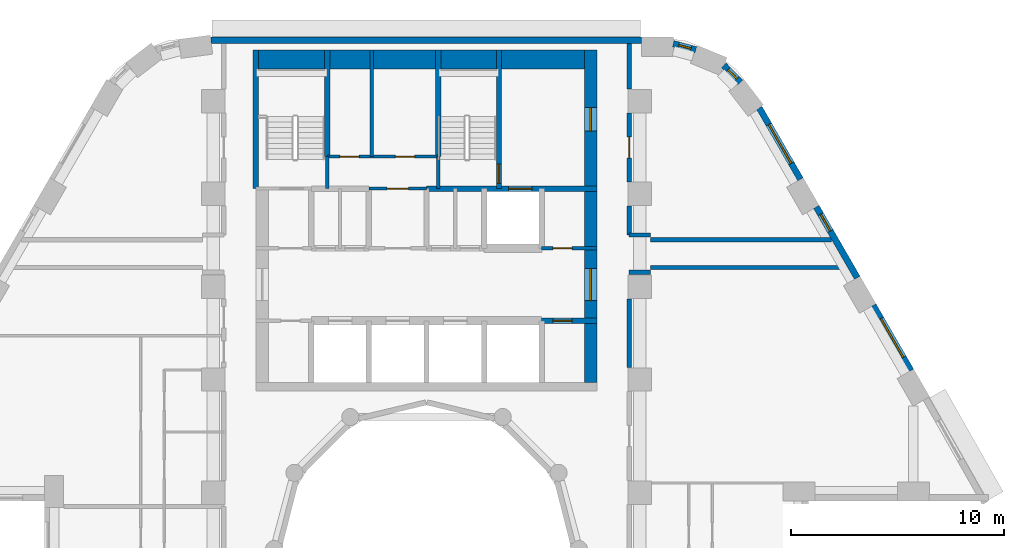
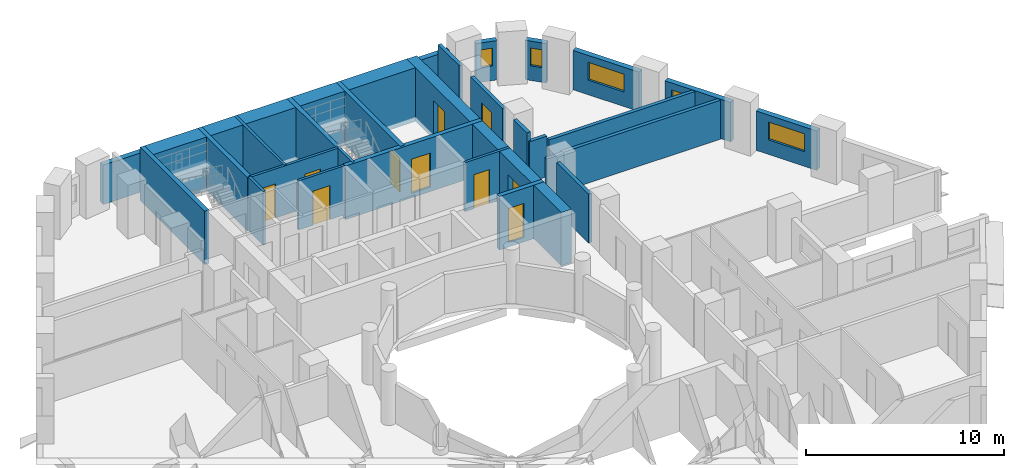
# One storey, part 8 of 12: 28 walls, 10 doors, 5 windows, 15 openings.
"""IFC4 building model written with IfcOpenShell, lengths in metres."""

from ifc_helpers import new_model, si_unit, direction, frame, frame_2d, origin, place, context, subcontext, project, spatial, rectangle, extrude, material, layer, layer_set, type_object, element, fill, save


model = new_model("IFC4")

# Units and contexts
model_context = context("Model", 3, precision=1e-05, world=origin(), true_north=direction((0.0, 1.0)))
body_context = subcontext(model_context, "Body", "Model", "MODEL_VIEW")
ifc_project = project(units=[si_unit("LENGTHUNIT", "METRE"), si_unit("AREAUNIT", "SQUARE_METRE"), si_unit("VOLUMEUNIT", "CUBIC_METRE"), si_unit("PLANEANGLEUNIT", "RADIAN"), si_unit("MASSUNIT", "GRAM", prefix="KILO")], contexts=[model_context])

# Site, building, storey
site_placement = place(None, origin())
site = spatial("IfcSite", under=ifc_project, at=site_placement, CompositionType="ELEMENT")
building_placement = place(site_placement, origin())
building = spatial("IfcBuilding", under=site, at=building_placement, Name="Nakaniwa Court", CompositionType="ELEMENT")
storey_placement = place(building_placement, frame((0.0, 0.0, 57.89990234375)))
storey = spatial("IfcBuildingStorey", under=building, at=storey_placement, Name="L15", CompositionType="ELEMENT", Elevation=57.89990234375)

# Walls
ifc_material_1 = material(Name="Acoustic double stud partition")
ifc_layer_1 = layer(ifc_material_1, 0.199951171875)
ifc_layer_set_1 = layer_set([ifc_layer_1], Name="Acoustic double stud partition")
wall_type_1 = type_object("IfcWallType", Name="Acoustic double stud partition 200", PredefinedType="PARTITIONING", material=ifc_layer_set_1)
wall_1_placement = place(storey_placement, frame((89.5, 88.51708984375, 0.0), z_axis=(0.0, 0.0, 1.0), x_axis=(0.0, 1.0, 0.0)))
element("IfcWall", 1, at=wall_1_placement, inside=storey, type_object=wall_type_1, Name="Partition PW-079", PredefinedType="PARTITIONING", context=body_context, shape_type="SweptSolid", body=[
    extrude(rectangle(XDim=3.2158203125, YDim=0.199951171875, at=frame_2d((1.60791015625, 0.0))), origin(), (0.0, 0.0, 1.0), 3.025146484375),
])
wall_2_placement = place(storey_placement, frame((89.5, 94.721923828125, 0.0), z_axis=(0.0, 0.0, 1.0), x_axis=(0.0, 1.0, 0.0)))
element("IfcWall", 2, at=wall_2_placement, inside=storey, type_object=wall_type_1, Name="Partition PW-080", PredefinedType="PARTITIONING", context=body_context, shape_type="SweptSolid", body=[
    extrude(rectangle(XDim=1.361083984375, YDim=0.199951171875, at=frame_2d((0.6806640625, 0.0))), origin(), (0.0, 0.0, 1.0), 3.025146484375),
])

# Wall, opening, door
wall_3_placement = place(storey_placement, frame((89.5, 100.43310546875, 0.0), z_axis=(0.0, 0.0, 1.0), x_axis=(0.0, -1.0, 0.0)))
wall_3 = element("IfcWall", 3, at=wall_3_placement, inside=storey, type_object=wall_type_1, Name="Partition PW-081", PredefinedType="PARTITIONING", context=body_context, shape_type="SweptSolid", body=[
    extrude(rectangle(XDim=3.216064453125, YDim=0.199951171875, at=frame_2d((1.60791015625, 0.0))), origin(), (0.0, 0.0, 1.0), 3.025146484375),
])
opening_1_placement = place(wall_3_placement, frame((1.10791015625, 0.0, 0.0)))
opening_1 = element("IfcOpeningElement", 4, at=opening_1_placement, cuts=wall_3, Name="Opening D-02-02", PredefinedType="OPENING", context=body_context, shape_type="SweptSolid", body=[
    extrude(rectangle(XDim=1.0, YDim=2.10009765625, at=frame_2d((0.5, 1.050048828125))), frame((0.0, 0.10986328125, 0.0), z_axis=(0.0, -1.0, 0.0), x_axis=(1.0, 0.0, 0.0)), (0.0, 0.0, 1.0), 0.219970703125),
])
ifc_material_2 = material(Name="Solid core timber door set, black veneer", Category="wood")
door_type_1 = type_object("IfcDoorType", Name="Internal door 1000", OperationType="NOTDEFINED", PredefinedType="DOOR", material=ifc_material_2)
door_1_placement = place(opening_1_placement, origin())
door_1 = element("IfcDoor", 5, at=door_1_placement, inside=storey, type_object=door_type_1, Name="Door D-02-02 L15-040", OperationType="SINGLE_SWING_LEFT", OverallHeight=2.10009765625, OverallWidth=1.0, PredefinedType="DOOR", context=body_context, shape_type="SweptSolid", body=[
    extrude(rectangle(XDim=1.0, YDim=2.10009765625, at=frame_2d((0.5, 1.050048828125))), frame((0.0, 0.02490234375, 0.0), z_axis=(0.0, -1.0, 0.0), x_axis=(1.0, 0.0, 0.0)), (0.0, 0.0, 1.0), 0.050048828125),
])
fill(opening_1, door_1)

# Walls
wall_4_placement = place(storey_placement, frame((89.5, 101.56689453125, 0.0), z_axis=(0.0, 0.0, 1.0), x_axis=(0.0, 1.0, 0.0)))
element("IfcWall", 6, at=wall_4_placement, inside=storey, type_object=wall_type_1, Name="Partition PW-082", PredefinedType="PARTITIONING", context=body_context, shape_type="SweptSolid", body=[
    extrude(rectangle(XDim=2.133056640625, YDim=0.199951171875, at=frame_2d((1.06640625, 0.0))), origin(), (0.0, 0.0, 1.0), 3.025146484375),
])
wall_5_placement = place(storey_placement, frame((90.5, 93.199951171875, 0.0), z_axis=(0.0, 0.0, 1.0), x_axis=(1.0, 0.0, 0.0)))
element("IfcWall", 7, at=wall_5_placement, inside=storey, type_object=wall_type_1, Name="Partition PW-084", PredefinedType="PARTITIONING", context=body_context, shape_type="SweptSolid", body=[
    extrude(rectangle(XDim=9.245361328125, YDim=0.199951171875, at=frame_2d((4.62255859375, 0.0))), origin(), (0.0, 0.0, 1.0), 2.405029296875),
])
for number, where, z_axis, x_axis, name in (
    (8, (89.5, 92.97509765625, 0.0), (0.0, 0.0, 1.0), (1.0, 0.0, 0.0), "Partition PW-086"),
    (9, (89.5, 94.72509765625, 0.0), (0.0, 0.0, 1.0), (1.0, 0.0, 0.0), "Partition PW-088"),
):
    element("IfcWall", number, at=place(storey_placement, frame(where, z_axis=z_axis, x_axis=x_axis)), inside=storey, type_object=wall_type_1, Name=name, PredefinedType="PARTITIONING", context=body_context, shape_type="SweptSolid", body=[
        extrude(rectangle(XDim=1.0, YDim=0.199951171875, at=frame_2d((0.5, 0.0))), origin(), (0.0, 0.0, 1.0), 2.505126953125),
    ])
wall_6_placement = place(storey_placement, frame((90.5, 94.5, 0.0), z_axis=(0.0, 0.0, 1.0), x_axis=(1.0, 0.0, 0.0)))
element("IfcWall", 10, at=wall_6_placement, inside=storey, type_object=wall_type_1, Name="Partition PW-090", PredefinedType="PARTITIONING", context=body_context, shape_type="SweptSolid", body=[
    extrude(rectangle(XDim=8.494873046875, YDim=0.199951171875, at=frame_2d((4.24755859375, 0.0))), origin(), (0.0, 0.0, 1.0), 2.405029296875),
])

# Wall, opening, window
ifc_material_3 = material(Name="Charcoal ceramic cladding")
ifc_layer_2 = layer(ifc_material_3, 0.02, Name="Ceramic cladding")
ifc_material_4 = material(Name="Ventilated air cavity")
ifc_layer_3 = layer(ifc_material_4, 0.04, ventilated=True, Name="Ventilated cavity")
ifc_material_5 = material(Name="Mineral wool insulation")
ifc_layer_4 = layer(ifc_material_5, 0.1, Name="Insulation")
ifc_material_6 = material(Name="Cement bonded sheathing board")
ifc_layer_5 = layer(ifc_material_6, 0.012, Name="Sheathing")
ifc_material_7 = material(Name="Cold-formed galvanised stud frame with mineral wool infill")
ifc_layer_6 = layer(ifc_material_7, 0.1, Name="Stud frame")
ifc_material_8 = material(Name="Fire-rated gypsum plasterboard lining")
ifc_layer_7 = layer(ifc_material_8, 0.028, Name="Lining")
ifc_layer_set_2 = layer_set([ifc_layer_2, ifc_layer_3, ifc_layer_4, ifc_layer_5, ifc_layer_6, ifc_layer_7], Name="Charcoal ceramic faced external wall system")
wall_type_2 = type_object("IfcWallType", Name="Black ceramic faced external wall 300", PredefinedType="SOLIDWALL", material=ifc_layer_set_2)
wall_7_placement = place(storey_placement, frame((102.709716796875, 88.36572265625, 0.0), z_axis=(0.0, 0.0, 1.0), x_axis=(-0.499977402622, 0.866038449993, 0.0)))
wall_7 = element("IfcWall", 11, at=wall_7_placement, inside=storey, type_object=wall_type_2, Name="L15 external wall 03", PredefinedType="SOLIDWALL", context=body_context, shape_type="SweptSolid", body=[
    extrude(rectangle(XDim=3.536865234375, YDim=0.300048828125, at=frame_2d((1.7685546875, 0.0))), origin(), (0.0, 0.0, 1.0), 2.425048828125),
])
opening_2_placement = place(wall_7_placement, frame((0.718505859375, 0.0, 0.89990234375)))
opening_2 = element("IfcOpeningElement", 12, at=opening_2_placement, cuts=wall_7, Name="Opening W7.02", PredefinedType="OPENING", context=body_context, shape_type="SweptSolid", body=[
    extrude(rectangle(XDim=2.10009765625, YDim=1.10009765625, at=frame_2d((1.050048828125, 0.550048828125))), frame((0.0, 0.159912109375, 0.0), z_axis=(0.0, -1.0, 0.0), x_axis=(1.0, 0.0, 0.0)), (0.0, 0.0, 1.0), 0.320068359375),
])
ifc_material_9 = material(Name="Black anodised aluminium frame with dark low-E laminated double glazing", Category="aluminium")
window_type_1 = type_object("IfcWindowType", Name="Dark glass window 2100x1100 sill 900", PartitioningType="SINGLE_PANEL", PredefinedType="WINDOW", material=ifc_material_9)
window_1_placement = place(opening_2_placement, origin())
window_1 = element("IfcWindow", 13, at=window_1_placement, inside=storey, type_object=window_type_1, Name="L15 habitable room window 03-0", OverallHeight=1.10009765625, OverallWidth=2.10009765625, PartitioningType="SINGLE_PANEL", PredefinedType="WINDOW", context=body_context, shape_type="SweptSolid", body=[
    extrude(rectangle(XDim=2.10009765625, YDim=1.10009765625, at=frame_2d((1.050048828125, 0.550048828125))), frame((0.0, 0.030029296875, 0.0), z_axis=(0.0, -1.0, 0.0), x_axis=(1.0, 0.0, 0.0)), (0.0, 0.0, 1.0), 0.06005859375),
])
fill(opening_2, window_1)

wall_8_placement = place(storey_placement, frame((100.1953125, 92.720703125, 0.0), z_axis=(0.0, 0.0, 1.0), x_axis=(-0.500001735503, 0.866024401789, 0.0)))
wall_8 = element("IfcWall", 14, at=wall_8_placement, inside=storey, type_object=wall_type_2, Name="L15 external wall 04", PredefinedType="SOLIDWALL", context=body_context, shape_type="SweptSolid", body=[
    extrude(rectangle(XDim=3.833984375, YDim=0.300048828125, at=frame_2d((1.9169921875, 0.0))), origin(), (0.0, 0.0, 1.0), 2.425048828125),
])
opening_3_placement = place(wall_8_placement, frame((2.53125, 0.0, 0.89990234375)))
opening_3 = element("IfcOpeningElement", 15, at=opening_3_placement, cuts=wall_8, Name="Opening W9.03", PredefinedType="OPENING", context=body_context, shape_type="SweptSolid", body=[
    extrude(rectangle(XDim=0.89990234375, YDim=1.10009765625, at=frame_2d((0.449951171875, 0.550048828125))), frame((0.0, 0.159912109375, 0.0), z_axis=(0.0, -1.0, 0.0), x_axis=(1.0, 0.0, 0.0)), (0.0, 0.0, 1.0), 0.320068359375),
])
window_type_2 = type_object("IfcWindowType", Name="Dark glass window 900x1100 sill 900", PartitioningType="SINGLE_PANEL", PredefinedType="WINDOW", material=ifc_material_9)
window_2_placement = place(opening_3_placement, origin())
window_2 = element("IfcWindow", 16, at=window_2_placement, inside=storey, type_object=window_type_2, Name="L15 habitable room window 04-2", OverallHeight=1.10009765625, OverallWidth=0.89990234375, PartitioningType="SINGLE_PANEL", PredefinedType="WINDOW", context=body_context, shape_type="SweptSolid", body=[
    extrude(rectangle(XDim=0.89990234375, YDim=1.10009765625, at=frame_2d((0.449951171875, 0.550048828125))), frame((0.0, 0.030029296875, 0.0), z_axis=(0.0, -1.0, 0.0), x_axis=(1.0, 0.0, 0.0)), (0.0, 0.0, 1.0), 0.06005859375),
])
fill(opening_3, window_2)

wall_9_placement = place(storey_placement, frame((97.5322265625, 97.3330078125, 0.0), z_axis=(0.0, 0.0, 1.0), x_axis=(-0.499948341072, 0.866055227026, 0.0)))
wall_9 = element("IfcWall", 17, at=wall_9_placement, inside=storey, type_object=wall_type_2, Name="L15 external wall 05", PredefinedType="SOLIDWALL", context=body_context, shape_type="SweptSolid", body=[
    extrude(rectangle(XDim=3.8671875, YDim=0.300048828125, at=frame_2d((1.93359375, 0.0))), origin(), (0.0, 0.0, 1.0), 2.425048828125),
])
opening_4_placement = place(wall_9_placement, frame((0.872314453125, 0.0, 0.89990234375)))
opening_4 = element("IfcOpeningElement", 18, at=opening_4_placement, cuts=wall_9, Name="Opening W7.04", PredefinedType="OPENING", context=body_context, shape_type="SweptSolid", body=[
    extrude(rectangle(XDim=2.10009765625, YDim=1.10009765625, at=frame_2d((1.050048828125, 0.550048828125))), frame((0.0, 0.159912109375, 0.0), z_axis=(0.0, -1.0, 0.0), x_axis=(1.0, 0.0, 0.0)), (0.0, 0.0, 1.0), 0.320068359375),
])
window_3_placement = place(opening_4_placement, origin())
window_3 = element("IfcWindow", 19, at=window_3_placement, inside=storey, type_object=window_type_1, Name="L15 habitable room window 05-0", OverallHeight=1.10009765625, OverallWidth=2.10009765625, PartitioningType="SINGLE_PANEL", PredefinedType="WINDOW", context=body_context, shape_type="SweptSolid", body=[
    extrude(rectangle(XDim=2.10009765625, YDim=1.10009765625, at=frame_2d((1.050048828125, 0.550048828125))), frame((0.0, 0.030029296875, 0.0), z_axis=(0.0, -1.0, 0.0), x_axis=(1.0, 0.0, 0.0)), (0.0, 0.0, 1.0), 0.06005859375),
])
fill(opening_4, window_3)

wall_10_placement = place(storey_placement, frame((94.712646484375, 101.8828125, 0.0), z_axis=(0.0, 0.0, 1.0), x_axis=(-0.696138968055, 0.717907053285, 0.0)))
wall_10 = element("IfcWall", 20, at=wall_10_placement, inside=storey, type_object=wall_type_2, Name="L15 external wall 06", PredefinedType="SOLIDWALL", context=body_context, shape_type="SweptSolid", body=[
    extrude(rectangle(XDim=1.1103515625, YDim=0.300048828125, at=frame_2d((0.55517578125, 0.0))), origin(), (0.0, 0.0, 1.0), 2.425048828125),
])
opening_5_placement = place(wall_10_placement, frame((0.230712890625, 0.0, 0.89990234375)))
opening_5 = element("IfcOpeningElement", 21, at=opening_5_placement, cuts=wall_10, Name="Opening W8.05", PredefinedType="OPENING", context=body_context, shape_type="SweptSolid", body=[
    extrude(rectangle(XDim=0.60009765625, YDim=1.10009765625, at=frame_2d((0.300048828125, 0.550048828125))), frame((0.0, 0.159912109375, 0.0), z_axis=(0.0, -1.0, 0.0), x_axis=(1.0, 0.0, 0.0)), (0.0, 0.0, 1.0), 0.320068359375),
])
window_type_3 = type_object("IfcWindowType", Name="Dark glass window 600x1100 sill 900", PartitioningType="SINGLE_PANEL", PredefinedType="WINDOW", material=ifc_material_9)
window_4_placement = place(opening_5_placement, origin())
window_4 = element("IfcWindow", 22, at=window_4_placement, inside=storey, type_object=window_type_3, Name="L15 habitable room window 06-0", OverallHeight=1.10009765625, OverallWidth=0.60009765625, PartitioningType="SINGLE_PANEL", PredefinedType="WINDOW", context=body_context, shape_type="SweptSolid", body=[
    extrude(rectangle(XDim=0.60009765625, YDim=1.10009765625, at=frame_2d((0.300048828125, 0.550048828125))), frame((0.0, 0.030029296875, 0.0), z_axis=(0.0, -1.0, 0.0), x_axis=(1.0, 0.0, 0.0)), (0.0, 0.0, 1.0), 0.06005859375),
])
fill(opening_5, window_4)

wall_11_placement = place(storey_placement, frame((92.62548828125, 103.406982421875, 0.0), z_axis=(0.0, 0.0, 1.0), x_axis=(-0.96522637192, 0.261415475728, 0.0)))
wall_11 = element("IfcWall", 23, at=wall_11_placement, inside=storey, type_object=wall_type_2, Name="L15 external wall 07", PredefinedType="SOLIDWALL", context=body_context, shape_type="SweptSolid", body=[
    extrude(rectangle(XDim=1.0927734375, YDim=0.300048828125, at=frame_2d((0.54638671875, 0.0))), origin(), (0.0, 0.0, 1.0), 2.425048828125),
])
opening_6_placement = place(wall_11_placement, frame((0.236083984375, 0.0, 0.89990234375)))
opening_6 = element("IfcOpeningElement", 24, at=opening_6_placement, cuts=wall_11, Name="Opening W8.06", PredefinedType="OPENING", context=body_context, shape_type="SweptSolid", body=[
    extrude(rectangle(XDim=0.60009765625, YDim=1.10009765625, at=frame_2d((0.300048828125, 0.550048828125))), frame((0.0, 0.159912109375, 0.0), z_axis=(0.0, -1.0, 0.0), x_axis=(1.0, 0.0, 0.0)), (0.0, 0.0, 1.0), 0.320068359375),
])
window_5_placement = place(opening_6_placement, origin())
window_5 = element("IfcWindow", 25, at=window_5_placement, inside=storey, type_object=window_type_3, Name="L15 habitable room window 07-0", OverallHeight=1.10009765625, OverallWidth=0.60009765625, PartitioningType="SINGLE_PANEL", PredefinedType="WINDOW", context=body_context, shape_type="SweptSolid", body=[
    extrude(rectangle(XDim=0.60009765625, YDim=1.10009765625, at=frame_2d((0.300048828125, 0.550048828125))), frame((0.0, 0.030029296875, 0.0), z_axis=(0.0, -1.0, 0.0), x_axis=(1.0, 0.0, 0.0)), (0.0, 0.0, 1.0), 0.06005859375),
])
fill(opening_6, window_5)

# Wall
wall_12_placement = place(storey_placement, frame((90.07861328125, 103.85009765625, 0.0), z_axis=(0.0, 0.0, 1.0), x_axis=(-1.0, 0.0, 0.0)))
element("IfcWall", 26, at=wall_12_placement, inside=storey, type_object=wall_type_2, Name="L15 external wall 08", PredefinedType="SOLIDWALL", context=body_context, shape_type="SweptSolid", body=[
    extrude(rectangle(XDim=20.1904296875, YDim=0.300048828125, at=frame_2d((10.09521484375, 0.0))), origin(), (0.0, 0.0, 1.0), 2.425048828125),
])

# Wall, opening, door
ifc_material_10 = material(Name="Blockwork partition", Category="masonry")
ifc_layer_8 = layer(ifc_material_10, 0.14990234375)
ifc_layer_set_3 = layer_set([ifc_layer_8], Name="Blockwork partition")
wall_type_3 = type_object("IfcWallType", Name="Blockwork partition 150", PredefinedType="PARTITIONING", material=ifc_layer_set_3)
wall_13_placement = place(storey_placement, frame((85.39697265625, 94.10009765625, 0.0), z_axis=(0.0, 0.0, 1.0), x_axis=(1.0, 0.0, 0.0)))
wall_13 = element("IfcWall", 27, at=wall_13_placement, inside=storey, type_object=wall_type_3, Name="Partition PW-018", PredefinedType="PARTITIONING", context=body_context, shape_type="SweptSolid", body=[
    extrude(rectangle(XDim=2.60302734375, YDim=0.14990234375, at=frame_2d((1.301513671875, 0.0))), origin(), (0.0, 0.0, 1.0), 3.025146484375),
])
opening_7_placement = place(wall_13_placement, frame((0.528076171875, 0.0, 0.0)))
opening_7 = element("IfcOpeningElement", 28, at=opening_7_placement, cuts=wall_13, Name="Opening D-05-07", PredefinedType="OPENING", context=body_context, shape_type="SweptSolid", body=[
    extrude(rectangle(XDim=0.89990234375, YDim=2.10009765625, at=frame_2d((0.449951171875, 1.050048828125))), frame((0.0, 0.0849609375, 0.0), z_axis=(0.0, -1.0, 0.0), x_axis=(1.0, 0.0, 0.0)), (0.0, 0.0, 1.0), 0.169921875),
])
ifc_material_11 = material(Name="Fire rated steel door set", Category="steel")
door_type_2 = type_object("IfcDoorType", Name="Service room door 900", OperationType="NOTDEFINED", PredefinedType="DOOR", material=ifc_material_11)
door_2_placement = place(opening_7_placement, origin())
door_2 = element("IfcDoor", 29, at=door_2_placement, inside=storey, type_object=door_type_2, Name="Door D-05-07 L15-009", OperationType="SINGLE_SWING_RIGHT", OverallHeight=2.10009765625, OverallWidth=0.89990234375, PredefinedType="DOOR", context=body_context, shape_type="SweptSolid", body=[
    extrude(rectangle(XDim=0.89990234375, YDim=2.10009765625, at=frame_2d((0.449951171875, 1.050048828125))), frame((0.0, 0.02490234375, 0.0), z_axis=(0.0, -1.0, 0.0), x_axis=(1.0, 0.0, 0.0)), (0.0, 0.0, 1.0), 0.050048828125),
])
fill(opening_7, door_2)

wall_14_placement = place(storey_placement, frame((77.300048828125, 96.89990234375, 0.0), z_axis=(0.0, 0.0, 1.0), x_axis=(1.0, 0.0, 0.0)))
wall_14 = element("IfcWall", 30, at=wall_14_placement, inside=storey, type_object=wall_type_3, Name="Partition PW-026", PredefinedType="PARTITIONING", context=body_context, shape_type="SweptSolid", body=[
    extrude(rectangle(XDim=2.699951171875, YDim=0.14990234375, at=frame_2d((1.35009765625, 0.0))), origin(), (0.0, 0.0, 1.0), 3.025146484375),
])
opening_8_placement = place(wall_14_placement, frame((0.85009765625, 0.0, 0.0)))
opening_8 = element("IfcOpeningElement", 31, at=opening_8_placement, cuts=wall_14, Name="Opening D-23-01", PredefinedType="OPENING", context=body_context, shape_type="SweptSolid", body=[
    extrude(rectangle(XDim=1.0, YDim=2.10009765625, at=frame_2d((0.5, 1.050048828125))), frame((0.0, 0.0849609375, 0.0), z_axis=(0.0, -1.0, 0.0), x_axis=(1.0, 0.0, 0.0)), (0.0, 0.0, 1.0), 0.169921875),
])
door_type_3 = type_object("IfcDoorType", Name="Service room door 1000", OperationType="NOTDEFINED", PredefinedType="DOOR", material=ifc_material_11)
door_3_placement = place(opening_8_placement, origin())
door_3 = element("IfcDoor", 32, at=door_3_placement, inside=storey, type_object=door_type_3, Name="Door D-23-01 L15-010", OperationType="SINGLE_SWING_LEFT", OverallHeight=2.10009765625, OverallWidth=1.0, PredefinedType="DOOR", context=body_context, shape_type="SweptSolid", body=[
    extrude(rectangle(XDim=1.0, YDim=2.10009765625, at=frame_2d((0.5, 1.050048828125))), frame((0.0, 0.02490234375, 0.0), z_axis=(0.0, -1.0, 0.0), x_axis=(1.0, 0.0, 0.0)), (0.0, 0.0, 1.0), 0.050048828125),
])
fill(opening_8, door_3)

# Wall, openings, doors
wall_15_placement = place(storey_placement, frame((75.35009765625, 98.39990234375, 0.0), z_axis=(0.0, 0.0, 1.0), x_axis=(1.0, 0.0, 0.0)))
wall_15 = element("IfcWall", 33, at=wall_15_placement, inside=storey, type_object=wall_type_3, Name="Partition PW-034", PredefinedType="PARTITIONING", context=body_context, shape_type="SweptSolid", body=[
    extrude(rectangle(XDim=5.199951171875, YDim=0.14990234375, at=frame_2d((2.60009765625, 0.0))), origin(), (0.0, 0.0, 1.0), 3.025146484375),
])
opening_9_placement = place(wall_15_placement, frame((0.590087890625, 0.0, 0.0)))
opening_9 = element("IfcOpeningElement", 34, at=opening_9_placement, cuts=wall_15, Name="Opening D-05-08", PredefinedType="OPENING", context=body_context, shape_type="SweptSolid", body=[
    extrude(rectangle(XDim=0.89990234375, YDim=2.10009765625, at=frame_2d((0.449951171875, 1.050048828125))), frame((0.0, 0.0849609375, 0.0), z_axis=(0.0, -1.0, 0.0), x_axis=(1.0, 0.0, 0.0)), (0.0, 0.0, 1.0), 0.169921875),
])
opening_10_placement = place(wall_15_placement, frame((3.18994140625, 0.0, 0.0)))
opening_10 = element("IfcOpeningElement", 35, at=opening_10_placement, cuts=wall_15, Name="Opening D-05-09", PredefinedType="OPENING", context=body_context, shape_type="SweptSolid", body=[
    extrude(rectangle(XDim=0.89990234375, YDim=2.10009765625, at=frame_2d((0.449951171875, 1.050048828125))), frame((0.0, 0.0849609375, 0.0), z_axis=(0.0, -1.0, 0.0), x_axis=(1.0, 0.0, 0.0)), (0.0, 0.0, 1.0), 0.169921875),
])
door_4_placement = place(opening_9_placement, origin())
door_4 = element("IfcDoor", 36, at=door_4_placement, inside=storey, type_object=door_type_2, Name="Door D-05-08 L15-011", OperationType="SINGLE_SWING_RIGHT", OverallHeight=2.10009765625, OverallWidth=0.89990234375, PredefinedType="DOOR", context=body_context, shape_type="SweptSolid", body=[
    extrude(rectangle(XDim=0.89990234375, YDim=2.10009765625, at=frame_2d((0.449951171875, 1.050048828125))), frame((0.0, 0.02490234375, 0.0), z_axis=(0.0, -1.0, 0.0), x_axis=(1.0, 0.0, 0.0)), (0.0, 0.0, 1.0), 0.050048828125),
])
fill(opening_9, door_4)
door_5_placement = place(opening_10_placement, origin())
door_5 = element("IfcDoor", 37, at=door_5_placement, inside=storey, type_object=door_type_2, Name="Door D-05-09 L15-012", OperationType="SINGLE_SWING_LEFT", OverallHeight=2.10009765625, OverallWidth=0.89990234375, PredefinedType="DOOR", context=body_context, shape_type="SweptSolid", body=[
    extrude(rectangle(XDim=0.89990234375, YDim=2.10009765625, at=frame_2d((0.449951171875, 1.050048828125))), frame((0.0, 0.02490234375, 0.0), z_axis=(0.0, -1.0, 0.0), x_axis=(1.0, 0.0, 0.0)), (0.0, 0.0, 1.0), 0.050048828125),
])
fill(opening_10, door_5)

# Wall
wall_16_placement = place(storey_placement, frame((77.429931640625, 98.39990234375, 0.0), z_axis=(0.0, 0.0, 1.0), x_axis=(0.0, 1.0, 0.0)))
element("IfcWall", 38, at=wall_16_placement, inside=storey, type_object=wall_type_3, Name="Partition PW-035", PredefinedType="PARTITIONING", context=body_context, shape_type="SweptSolid", body=[
    extrude(rectangle(XDim=5.0, YDim=0.14990234375, at=frame_2d((2.5, 0.0))), origin(), (0.0, 0.0, 1.0), 3.025146484375),
])

# Wall, openings, doors
ifc_material_12 = material(Name="Concrete C100/115", Category="concrete")
ifc_layer_9 = layer(ifc_material_12, 0.60009765625)
ifc_layer_set_4 = layer_set([ifc_layer_9], Name="Concrete C100/115")
wall_type_4 = type_object("IfcWallType", Name="Concrete core side wall 600 C100", PredefinedType="SHEAR", material=ifc_layer_set_4)
wall_17_placement = place(storey_placement, frame((87.699951171875, 103.39990234375, -0.27490234375), z_axis=(0.0, 0.0, 1.0), x_axis=(0.0, -1.0, 0.0)))
wall_17 = element("IfcWall", 39, at=wall_17_placement, inside=storey, type_object=wall_type_4, Name="Core wall SW-15", PredefinedType="SHEAR", context=body_context, shape_type="SweptSolid", body=[
    extrude(rectangle(XDim=15.599853515625, YDim=0.60009765625, at=frame_2d((7.7998046875, 0.0))), origin(), (0.0, 0.0, 1.0), 3.300048828125),
])
opening_11_placement = place(wall_17_placement, frame((10.25, 0.0, 0.27490234375)))
opening_11 = element("IfcOpeningElement", 40, at=opening_11_placement, cuts=wall_17, Name="Opening D-07-01", PredefinedType="OPENING", context=body_context, shape_type="SweptSolid", body=[
    extrude(rectangle(XDim=1.5, YDim=2.10009765625, at=frame_2d((0.75, 1.050048828125))), frame((0.0, 0.31005859375, 0.0), z_axis=(0.0, -1.0, 0.0), x_axis=(1.0, 0.0, 0.0)), (0.0, 0.0, 1.0), 0.6201171875),
])
opening_12_placement = place(wall_17_placement, frame((2.699951171875, 0.0, 0.27490234375)))
opening_12 = element("IfcOpeningElement", 41, at=opening_12_placement, cuts=wall_17, Name="Opening D-10-01", PredefinedType="OPENING", context=body_context, shape_type="SweptSolid", body=[
    extrude(rectangle(XDim=1.10009765625, YDim=2.10009765625, at=frame_2d((0.550048828125, 1.050048828125))), frame((0.0, 0.31005859375, 0.0), z_axis=(0.0, -1.0, 0.0), x_axis=(1.0, 0.0, 0.0)), (0.0, 0.0, 1.0), 0.6201171875),
])
door_type_4 = type_object("IfcDoorType", Name="Firefighting lobby door 1100", OperationType="NOTDEFINED", PredefinedType="DOOR", material=ifc_material_11)
door_6_placement = place(opening_12_placement, origin())
door_6 = element("IfcDoor", 42, at=door_6_placement, inside=storey, type_object=door_type_4, Name="Door D-10-01 L15-058", OperationType="SINGLE_SWING_LEFT", OverallHeight=2.10009765625, OverallWidth=1.10009765625, PredefinedType="DOOR", context=body_context, shape_type="SweptSolid", body=[
    extrude(rectangle(XDim=1.10009765625, YDim=2.10009765625, at=frame_2d((0.550048828125, 1.050048828125))), frame((0.0, 0.02490234375, 0.0), z_axis=(0.0, -1.0, 0.0), x_axis=(1.0, 0.0, 0.0)), (0.0, 0.0, 1.0), 0.050048828125),
])
fill(opening_12, door_6)
ifc_material_13 = material(Name="Glazed fire rated steel double door set", Category="steel")
door_type_5 = type_object("IfcDoorType", Name="Lobby double door 1500", OperationType="NOTDEFINED", PredefinedType="DOOR", material=ifc_material_13)
door_7_placement = place(opening_11_placement, origin())
door_7 = element("IfcDoor", 43, at=door_7_placement, inside=storey, type_object=door_type_5, Name="Door D-07-01 L15-056", OperationType="DOUBLE_DOOR_SINGLE_SWING", OverallHeight=2.10009765625, OverallWidth=1.5, PredefinedType="DOOR", context=body_context, shape_type="SweptSolid", body=[
    extrude(rectangle(XDim=1.5, YDim=2.10009765625, at=frame_2d((0.75, 1.050048828125))), frame((0.0, 0.02490234375, 0.0), z_axis=(0.0, -1.0, 0.0), x_axis=(1.0, 0.0, 0.0)), (0.0, 0.0, 1.0), 0.050048828125),
])
fill(opening_11, door_7)

# Walls
ifc_layer_10 = layer(ifc_material_12, 0.14990234375)
ifc_layer_set_5 = layer_set([ifc_layer_10], Name="Concrete C100/115")
wall_type_5 = type_object("IfcWallType", Name="Concrete core wall 150 C100", PredefinedType="SHEAR", material=ifc_layer_set_5)
for number, where, z_axis, x_axis, name in (
    (44, (75.35009765625, 96.89990234375, -0.27490234375), (0.0, 0.0, 1.0), (0.0, 1.0, 0.0), "Core wall SW-28"),
    (45, (80.550048828125, 96.89990234375, -0.27490234375), (0.0, 0.0, 1.0), (0.0, 1.0, 0.0), "Core wall SW-32"),
):
    element("IfcWall", number, at=place(storey_placement, frame(where, z_axis=z_axis, x_axis=x_axis)), inside=storey, type_object=wall_type_5, Name=name, PredefinedType="SHEAR", context=body_context, shape_type="SweptSolid", body=[
        extrude(rectangle(XDim=1.503173828125, YDim=0.14990234375, at=frame_2d((0.75146484375, 0.0))), origin(), (0.0, 0.0, 1.0), 3.300048828125),
    ])
ifc_layer_11 = layer(ifc_material_12, 0.25)
ifc_layer_set_6 = layer_set([ifc_layer_11], Name="Concrete C100/115")
wall_type_6 = type_object("IfcWallType", Name="Concrete core wall 250 C100", PredefinedType="SHEAR", material=ifc_layer_set_6)
wall_18_placement = place(storey_placement, frame((72.0, 96.89990234375, -0.27490234375), z_axis=(0.0, 0.0, 1.0), x_axis=(0.0, 1.0, 0.0)))
element("IfcWall", 46, at=wall_18_placement, inside=storey, type_object=wall_type_6, Name="Core wall SW-30", PredefinedType="SHEAR", context=body_context, shape_type="SweptSolid", body=[
    extrude(rectangle(XDim=6.5, YDim=0.25, at=frame_2d((3.25, 0.0))), origin(), (0.0, 0.0, 1.0), 3.300048828125),
])
ifc_layer_12 = layer(ifc_material_12, 0.89990234375)
ifc_layer_set_7 = layer_set([ifc_layer_12], Name="Concrete C100/115")
wall_type_7 = type_object("IfcWallType", Name="Concrete core wall 900 C100", PredefinedType="SHEAR", material=ifc_layer_set_7)
wall_19_placement = place(storey_placement, frame((72.00390625, 102.949951171875, -0.27490234375), z_axis=(0.0, 0.0, 1.0), x_axis=(1.0, 0.0, 0.0)))
element("IfcWall", 47, at=wall_19_placement, inside=storey, type_object=wall_type_7, Name="Core wall SW-134", PredefinedType="SHEAR", context=body_context, shape_type="SweptSolid", body=[
    extrude(rectangle(XDim=15.9921875, YDim=0.89990234375, at=frame_2d((7.99609375, 0.0))), origin(), (0.0, 0.0, 1.0), 3.300048828125),
])

# Wall, opening, door
ifc_layer_13 = layer(ifc_material_12, 0.25)
ifc_layer_set_8 = layer_set([ifc_layer_13], Name="Concrete C100/115")
wall_type_8 = type_object("IfcWallType", Name="Concrete shaft wall 250 C100", PredefinedType="SHEAR", material=ifc_layer_set_8)
wall_20_placement = place(storey_placement, frame((88.0, 90.699951171875, -0.27490234375), z_axis=(0.0, 0.0, 1.0), x_axis=(-1.0, 0.0, 0.0)))
wall_20 = element("IfcWall", 48, at=wall_20_placement, inside=storey, type_object=wall_type_8, Name="Core wall SW-14", PredefinedType="SHEAR", context=body_context, shape_type="SweptSolid", body=[
    extrude(rectangle(XDim=2.60009765625, YDim=0.25, at=frame_2d((1.300048828125, 0.0))), origin(), (0.0, 0.0, 1.0), 3.300048828125),
])
opening_13_placement = place(wall_20_placement, frame((1.175048828125, 0.0, 0.27490234375)))
opening_13 = element("IfcOpeningElement", 49, at=opening_13_placement, cuts=wall_20, Name="Opening D-05-02", PredefinedType="OPENING", context=body_context, shape_type="SweptSolid", body=[
    extrude(rectangle(XDim=0.89990234375, YDim=2.10009765625, at=frame_2d((0.449951171875, 1.050048828125))), frame((0.0, 0.135009765625, 0.0), z_axis=(0.0, -1.0, 0.0), x_axis=(1.0, 0.0, 0.0)), (0.0, 0.0, 1.0), 0.27001953125),
])
door_8_placement = place(opening_13_placement, origin())
door_8 = element("IfcDoor", 50, at=door_8_placement, inside=storey, type_object=door_type_2, Name="Door D-05-02 L15-002", OperationType="SINGLE_SWING_LEFT", OverallHeight=2.10009765625, OverallWidth=0.89990234375, PredefinedType="DOOR", context=body_context, shape_type="SweptSolid", body=[
    extrude(rectangle(XDim=0.89990234375, YDim=2.10009765625, at=frame_2d((0.449951171875, 1.050048828125))), frame((0.0, 0.02490234375, 0.0), z_axis=(0.0, -1.0, 0.0), x_axis=(1.0, 0.0, 0.0)), (0.0, 0.0, 1.0), 0.050048828125),
])
fill(opening_13, door_8)

wall_21_placement = place(storey_placement, frame((80.0, 96.89990234375, -0.27490234375), z_axis=(0.0, 0.0, 1.0), x_axis=(1.0, 0.0, 0.0)))
wall_21 = element("IfcWall", 51, at=wall_21_placement, inside=storey, type_object=wall_type_8, Name="Core wall SW-25", PredefinedType="SHEAR", context=body_context, shape_type="SweptSolid", body=[
    extrude(rectangle(XDim=8.0, YDim=0.25, at=frame_2d((4.0, 0.0))), origin(), (0.0, 0.0, 1.0), 3.300048828125),
])
opening_14_placement = place(wall_21_placement, frame((3.84912109375, 0.0, 0.27490234375)))
opening_14 = element("IfcOpeningElement", 52, at=opening_14_placement, cuts=wall_21, Name="Opening LD04", PredefinedType="OPENING", context=body_context, shape_type="SweptSolid", body=[
    extrude(rectangle(XDim=1.10009765625, YDim=2.10009765625, at=frame_2d((0.550048828125, 1.050048828125))), frame((0.0, 0.135009765625, 0.0), z_axis=(0.0, -1.0, 0.0), x_axis=(1.0, 0.0, 0.0)), (0.0, 0.0, 1.0), 0.27001953125),
])
ifc_material_14 = material(Name="Stainless steel sliding lift landing door", Category="steel")
door_type_6 = type_object("IfcDoorType", Name="Lift landing door 1100", OperationType="NOTDEFINED", PredefinedType="DOOR", material=ifc_material_14)
door_9_placement = place(opening_14_placement, origin())
door_9 = element("IfcDoor", 53, at=door_9_placement, inside=storey, type_object=door_type_6, Name="Lift landing door LD04 L15-004", OperationType="SLIDING_TO_LEFT", OverallHeight=2.10009765625, OverallWidth=1.10009765625, PredefinedType="DOOR", context=body_context, shape_type="SweptSolid", body=[
    extrude(rectangle(XDim=1.10009765625, YDim=2.10009765625, at=frame_2d((0.550048828125, 1.050048828125))), frame((0.0, 0.02490234375, 0.0), z_axis=(0.0, -1.0, 0.0), x_axis=(1.0, 0.0, 0.0)), (0.0, 0.0, 1.0), 0.050048828125),
])
fill(opening_14, door_9)

# Wall
wall_22_placement = place(storey_placement, frame((75.35009765625, 98.39697265625, -0.27490234375), z_axis=(0.0, 0.0, 1.0), x_axis=(0.0, 1.0, 0.0)))
element("IfcWall", 54, at=wall_22_placement, inside=storey, type_object=wall_type_8, Name="Core wall SW-29", PredefinedType="SHEAR", context=body_context, shape_type="SweptSolid", body=[
    extrude(rectangle(XDim=5.0029296875, YDim=0.25, at=frame_2d((2.50146484375, 0.0))), origin(), (0.0, 0.0, 1.0), 3.300048828125),
])

# Wall, opening, door
wall_23_placement = place(storey_placement, frame((83.39990234375, 103.39990234375, -0.27490234375), z_axis=(0.0, 0.0, 1.0), x_axis=(0.0, -1.0, 0.0)))
wall_23 = element("IfcWall", 55, at=wall_23_placement, inside=storey, type_object=wall_type_8, Name="Core wall SW-31", PredefinedType="SHEAR", context=body_context, shape_type="SweptSolid", body=[
    extrude(rectangle(XDim=6.5, YDim=0.25, at=frame_2d((3.25, 0.0))), origin(), (0.0, 0.0, 1.0), 3.300048828125),
])
opening_15_placement = place(wall_23_placement, frame((5.35009765625, 0.0, 0.27490234375)))
opening_15 = element("IfcOpeningElement", 56, at=opening_15_placement, cuts=wall_23, Name="Opening D-11-01", PredefinedType="OPENING", context=body_context, shape_type="SweptSolid", body=[
    extrude(rectangle(XDim=0.89990234375, YDim=2.10009765625, at=frame_2d((0.449951171875, 1.050048828125))), frame((0.0, 0.135009765625, 0.0), z_axis=(0.0, -1.0, 0.0), x_axis=(1.0, 0.0, 0.0)), (0.0, 0.0, 1.0), 0.27001953125),
])
door_type_7 = type_object("IfcDoorType", Name="Stair door 900", OperationType="NOTDEFINED", PredefinedType="DOOR", material=ifc_material_11)
door_10_placement = place(opening_15_placement, origin())
door_10 = element("IfcDoor", 57, at=door_10_placement, inside=storey, type_object=door_type_7, Name="Door D-11-01 L15-014", OperationType="SINGLE_SWING_RIGHT", OverallHeight=2.10009765625, OverallWidth=0.89990234375, PredefinedType="DOOR", context=body_context, shape_type="SweptSolid", body=[
    extrude(rectangle(XDim=0.89990234375, YDim=2.10009765625, at=frame_2d((0.449951171875, 1.050048828125))), frame((0.0, 0.02490234375, 0.0), z_axis=(0.0, -1.0, 0.0), x_axis=(1.0, 0.0, 0.0)), (0.0, 0.0, 1.0), 0.050048828125),
])
fill(opening_15, door_10)

# Wall
wall_24_placement = place(storey_placement, frame((80.550048828125, 98.39697265625, -0.27490234375), z_axis=(0.0, 0.0, 1.0), x_axis=(0.0, 1.0, 0.0)))
element("IfcWall", 58, at=wall_24_placement, inside=storey, type_object=wall_type_8, Name="Core wall SW-33", PredefinedType="SHEAR", context=body_context, shape_type="SweptSolid", body=[
    extrude(rectangle(XDim=5.0029296875, YDim=0.25, at=frame_2d((2.50146484375, 0.0))), origin(), (0.0, 0.0, 1.0), 3.300048828125),
])

save(model, "model.ifc")
